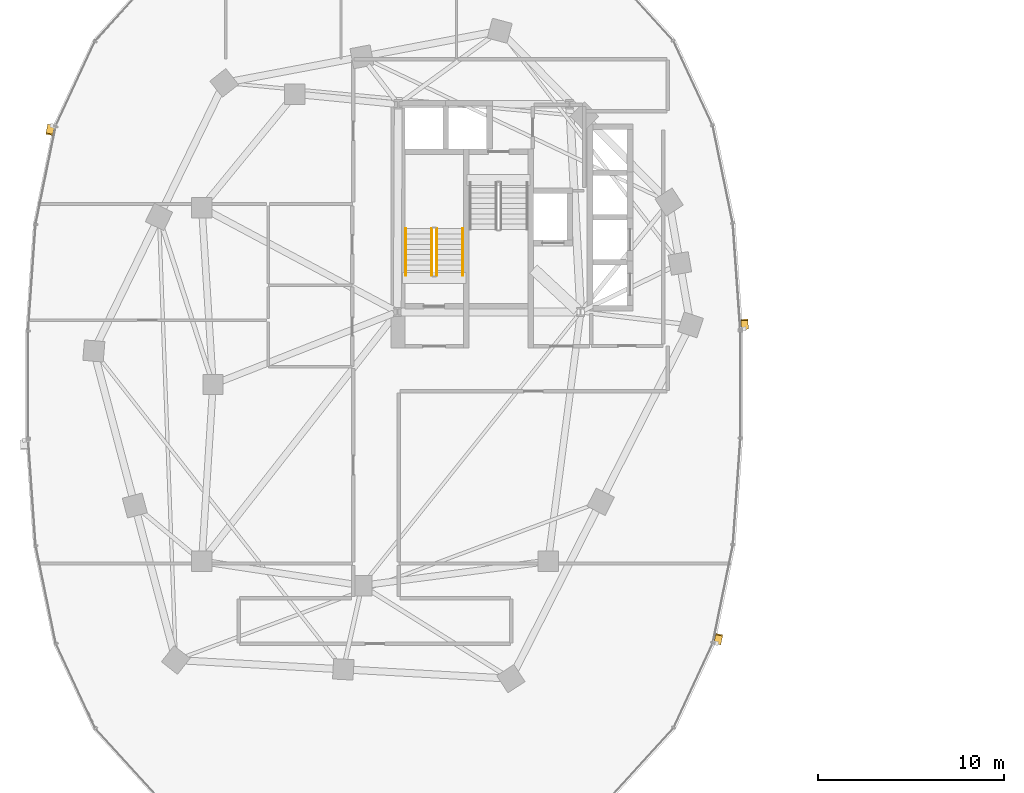
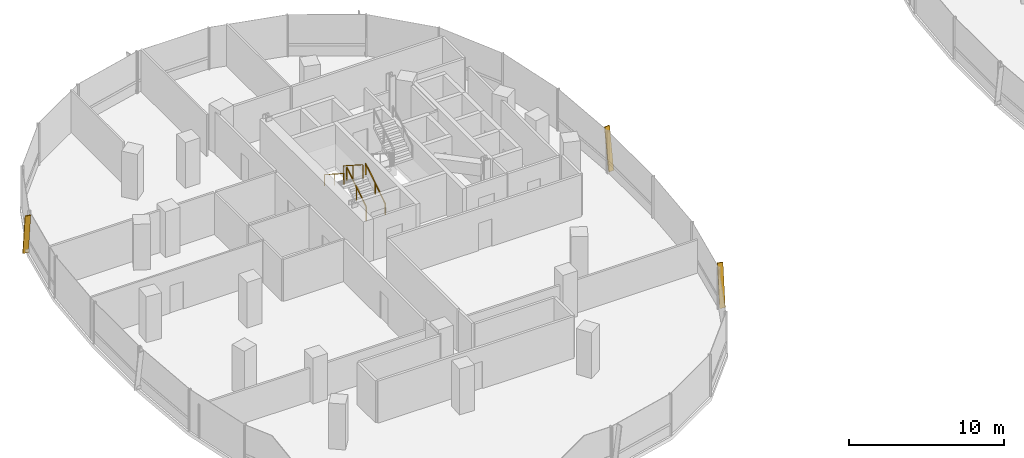
# One storey, part 18 of 21: 4 railings, 3 shading devices.
"""IFC4 building model written with IfcOpenShell, lengths in metres."""

from ifc_helpers import new_model, si_unit, direction, frame, origin, origin_2d, place, context, subcontext, project, spatial, rectangle, extrude, material, material_profile, profile_set, type_object, element, save


model = new_model("IFC4")

# Units and contexts
model_context = context("Model", 3, precision=1e-05, world=origin(), true_north=direction((0.0, 1.0)))
body_context = subcontext(model_context, "Body", "Model", "MODEL_VIEW")
ifc_project = project(units=[si_unit("LENGTHUNIT", "METRE"), si_unit("AREAUNIT", "SQUARE_METRE"), si_unit("VOLUMEUNIT", "CUBIC_METRE"), si_unit("PLANEANGLEUNIT", "RADIAN"), si_unit("MASSUNIT", "GRAM", prefix="KILO"), si_unit("THERMODYNAMICTEMPERATUREUNIT", "KELVIN"), si_unit("POWERUNIT", "WATT")], contexts=[model_context])

# Site, building, storey
site_placement = place(None, origin())
site = spatial("IfcSite", under=ifc_project, at=site_placement, CompositionType="ELEMENT")
building_placement = place(site_placement, origin())
building = spatial("IfcBuilding", under=site, at=building_placement, Name="Cundina Bronze Exchange", CompositionType="ELEMENT")
storey_placement = place(building_placement, frame((0.0, 0.0, 96.199951171875)))
storey = spatial("IfcBuildingStorey", under=building, at=storey_placement, Name="L24", CompositionType="ELEMENT", Elevation=96.199951171875)

# Railings
ifc_material_1 = material(Name="Steel ASTM A36 Painted", Category="steel")
railing_type_1 = type_object("IfcRailingType", Name="RLG-HND-900", PredefinedType="HANDRAIL", material=ifc_material_1)
railing_1_placement = place(storey_placement, frame((-27.7900390625, 5.85009765625, 0.179931640625)))
element("IfcRailing", 1, at=railing_1_placement, inside=storey, type_object=railing_type_1, Name="L24 ST-W1 stair handrail 1", PredefinedType="HANDRAIL", context=body_context, shape_type="SweptSolid", body=[
    extrude(rectangle(XDim=0.048095703125, YDim=0.048095703125, at=origin_2d()), frame((0.0, 0.0, 0.8759765625), z_axis=(0.0, 0.841162588446, 0.540782303519), x_axis=(-1.0, 0.0, 0.0)), (0.0, 0.0, 1.0), 2.995849609375),
    extrude(rectangle(XDim=0.0419921875, YDim=0.0419921875, at=origin_2d()), origin(), (0.0, 0.0, 1.0), 0.851806640625),
    extrude(rectangle(XDim=0.0419921875, YDim=0.0419921875, at=origin_2d()), frame((0.0, 1.260009765625, 0.81005859375)), (0.0, 0.0, 1.0), 0.851806640625),
    extrude(rectangle(XDim=0.0419921875, YDim=0.0419921875, at=origin_2d()), frame((0.0, 2.52001953125, 1.6201171875)), (0.0, 0.0, 1.0), 0.851806640625),
])
railing_2_placement = place(storey_placement, frame((-30.85009765625, 8.3701171875, 1.97998046875)))
element("IfcRailing", 2, at=railing_2_placement, inside=storey, type_object=railing_type_1, Name="L24 ST-W1 stair handrail 2", PredefinedType="HANDRAIL", context=body_context, shape_type="SweptSolid", body=[
    extrude(rectangle(XDim=0.048095703125, YDim=0.048095703125, at=origin_2d()), frame((0.0, 0.0, 0.8759765625), z_axis=(0.0, -0.841162588446, 0.540782303519), x_axis=(1.0, 0.0, 0.0)), (0.0, 0.0, 1.0), 2.995849609375),
    extrude(rectangle(XDim=0.0419921875, YDim=0.0419921875, at=origin_2d()), origin(), (0.0, 0.0, 1.0), 0.851806640625),
    extrude(rectangle(XDim=0.0419921875, YDim=0.0419921875, at=origin_2d()), frame((0.0, -1.260009765625, 0.81005859375)), (0.0, 0.0, 1.0), 0.851806640625),
    extrude(rectangle(XDim=0.0419921875, YDim=0.0419921875, at=origin_2d()), frame((0.0, -2.52001953125, 1.6201171875)), (0.0, 0.0, 1.0), 0.851806640625),
])
railing_type_2 = type_object("IfcRailingType", Name="RLG-STG-1100", PredefinedType="GUARDRAIL", material=ifc_material_1)
railing_3_placement = place(storey_placement, frame((-29.18994140625, 5.85009765625, 0.179931640625)))
element("IfcRailing", 3, at=railing_3_placement, inside=storey, type_object=railing_type_2, Name="L24 ST-W1 stair guard 1", PredefinedType="GUARDRAIL", context=body_context, shape_type="SweptSolid", body=[
    extrude(rectangle(XDim=0.048095703125, YDim=0.048095703125, at=origin_2d()), frame((0.0, 0.0, 1.076171875), z_axis=(0.0, 0.841162588446, 0.540782303519), x_axis=(-1.0, 0.0, 0.0)), (0.0, 0.0, 1.0), 2.995849609375),
    extrude(rectangle(XDim=0.0419921875, YDim=0.0419921875, at=origin_2d()), origin(), (0.0, 0.0, 1.0), 1.052001953125),
    extrude(rectangle(XDim=0.0419921875, YDim=0.0419921875, at=origin_2d()), frame((0.0, 1.260009765625, 0.81005859375)), (0.0, 0.0, 1.0), 1.052001953125),
    extrude(rectangle(XDim=0.0419921875, YDim=0.0419921875, at=origin_2d()), frame((0.0, 2.52001953125, 1.6201171875)), (0.0, 0.0, 1.0), 1.052001953125),
])
railing_4_placement = place(storey_placement, frame((-29.449951171875, 8.3701171875, 1.97998046875)))
element("IfcRailing", 4, at=railing_4_placement, inside=storey, type_object=railing_type_2, Name="L24 ST-W1 stair guard 3", PredefinedType="GUARDRAIL", context=body_context, shape_type="SweptSolid", body=[
    extrude(rectangle(XDim=0.048095703125, YDim=0.048095703125, at=origin_2d()), frame((0.0, 0.0, 1.076171875), z_axis=(0.0, -0.841162588446, 0.540782303519), x_axis=(1.0, 0.0, 0.0)), (0.0, 0.0, 1.0), 2.995849609375),
    extrude(rectangle(XDim=0.0419921875, YDim=0.0419921875, at=origin_2d()), origin(), (0.0, 0.0, 1.0), 1.052001953125),
    extrude(rectangle(XDim=0.0419921875, YDim=0.0419921875, at=origin_2d()), frame((0.0, -1.260009765625, 0.81005859375)), (0.0, 0.0, 1.0), 1.052001953125),
    extrude(rectangle(XDim=0.0419921875, YDim=0.0419921875, at=origin_2d()), frame((0.0, -2.52001953125, 1.6201171875)), (0.0, 0.0, 1.0), 1.052001953125),
])

# Shading devices
ifc_material_2 = material(Name="Anodised Bronze Aluminium 6063-T6", Category="aluminium")
ifc_material_profile = material_profile(ifc_material_2, rectangle(XDim=0.070068359375, YDim=0.3798828125, at=origin_2d()), Name="FIN70X380", Category="aluminium")
ifc_profile_set = profile_set([ifc_material_profile], Name="Anodised Bronze Aluminium 6063-T6")
shading_device_type = type_object("IfcShadingDeviceType", Name="SHD-FIN-BRZ380", PredefinedType="USERDEFINED", material=ifc_profile_set)
for number, where, z_axis, x_axis, name in (
    (5, (-12.6259765625, 2.993896484375, 0.02001953125), (-0.010224545828, 0.145292278041, 0.989335945271), (0.069450050635, -0.986895284755, 0.145651595925), "L24 Diagonal Bronze Solar Fin 1"),
    (6, (-49.89599609375, 13.911865234375, 0.02001953125), (-0.029413888538, -0.142698109128, 0.989329102378), (0.199728220342, 0.968958570224, 0.145698068578), "L24 Diagonal Bronze Solar Fin 5"),
    (7, (-14.10400390625, -13.911865234375, 0.02001953125), (0.029413888538, 0.142698109128, 0.989329102378), (-0.199728220342, -0.968958570224, 0.145698068578), "L24 Diagonal Bronze Solar Fin 5"),
):
    element("IfcShadingDevice", number, at=place(storey_placement, frame(where, z_axis=z_axis, x_axis=x_axis)), inside=storey, type_object=shading_device_type, Name=name, ObjectType="FIN", PredefinedType="USERDEFINED", context=body_context, shape_type="SweptSolid", body=[
        extrude(rectangle(XDim=0.070068359375, YDim=0.3798828125, at=origin_2d()), origin(), (0.0, 0.0, 1.0), 3.295166015625),
    ])

save(model, "model.ifc")
